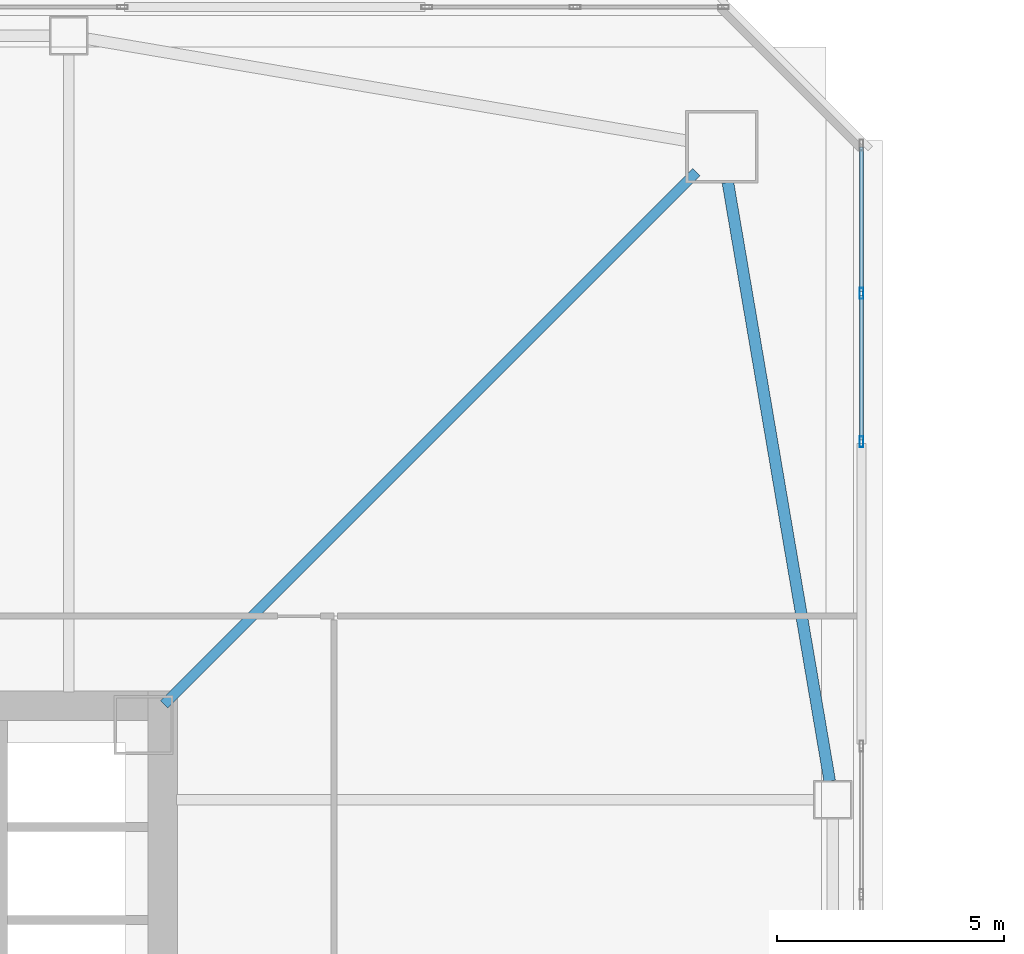
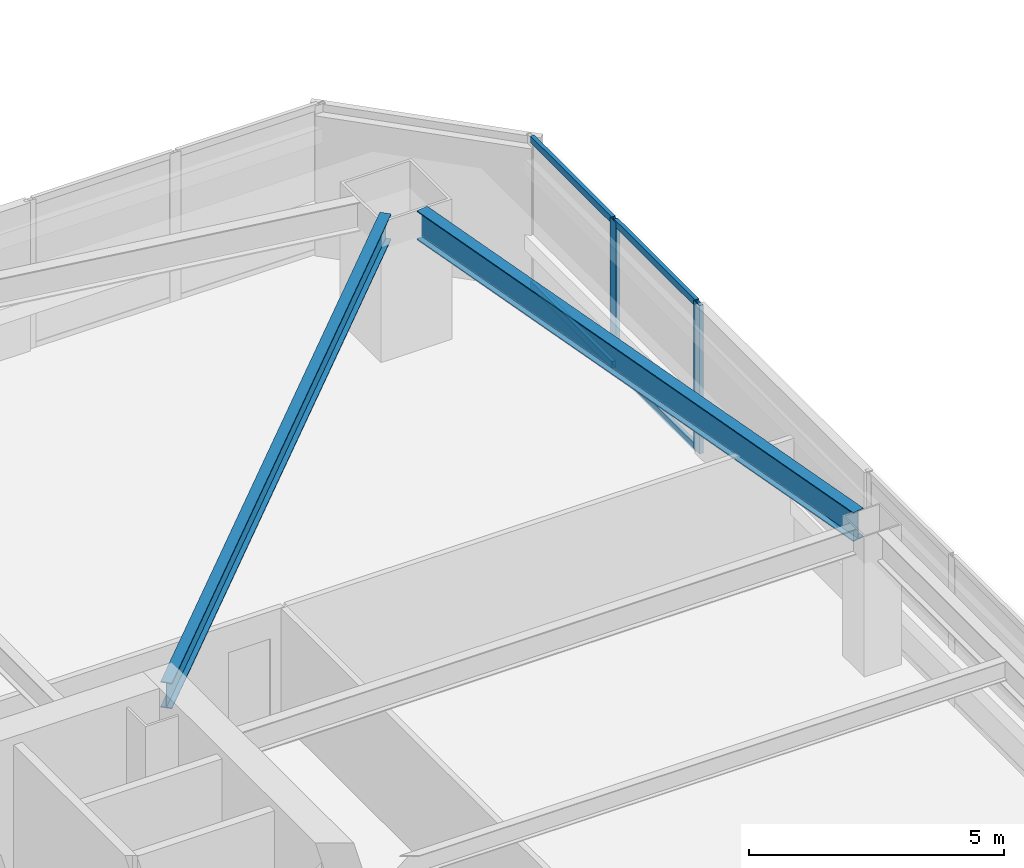
# One storey, part 16 of 47: 6 members, 2 beams, 1 element without a shape of its own.
"""IFC4 building model written with IfcOpenShell, lengths in metres."""

from ifc_helpers import new_model, si_unit, direction, frame, origin, origin_2d, place, context, subcontext, project, spatial, hollow_rectangle, i_section, extrude, material, material_profile, profile_set, type_object, element, aggregate, save


model = new_model("IFC4")

# Units and contexts
model_context = context("Model", 3, precision=1e-05, world=origin(), true_north=direction((0.0, 1.0)))
body_context = subcontext(model_context, "Body", "Model", "MODEL_VIEW")
ifc_project = project(units=[si_unit("LENGTHUNIT", "METRE"), si_unit("AREAUNIT", "SQUARE_METRE"), si_unit("VOLUMEUNIT", "CUBIC_METRE"), si_unit("PLANEANGLEUNIT", "RADIAN"), si_unit("MASSUNIT", "GRAM", prefix="KILO")], contexts=[model_context])

# Site, building, storey
site_placement = place(None, origin())
site = spatial("IfcSite", under=ifc_project, at=site_placement, CompositionType="ELEMENT")
building_placement = place(site_placement, origin())
building = spatial("IfcBuilding", under=site, at=building_placement, Name="Tashvorn Skyway Center", CompositionType="ELEMENT")
storey_placement = place(building_placement, frame((0.0, 0.0, 42.35009765625)))
storey = spatial("IfcBuildingStorey", under=building, at=storey_placement, Name="L10", CompositionType="ELEMENT", Elevation=42.35009765625)

# Beams
ifc_material_1 = material(Name="Steel ASTM A992 Grade 50", Category="steel")
ifc_material_profile_1 = material_profile(ifc_material_1, i_section(OverallWidth=0.22998046875, OverallDepth=0.616943359375, WebThickness=0.01318359375, FlangeThickness=0.022216796875, at=origin_2d()), Name="W24X94")
ifc_profile_set_1 = profile_set([ifc_material_profile_1], Name="Steel ASTM A992 Grade 50")
beam_type_1 = type_object("IfcBeamType", Name="BM-BEAM-W24X94", PredefinedType="BEAM", material=ifc_profile_set_1)
beam_1_placement = place(storey_placement, frame((61.23779296875, 51.23779296875, 3.04150390625), z_axis=(-0.707106781187, -0.707106781187, 0.0), x_axis=(0.707106781187, -0.707106781187, 0.0)))
element("IfcBeam", 1, at=beam_1_placement, inside=storey, type_object=beam_type_1, Name="Tower 1 L10 Primary Floor Girder MC-NE", PredefinedType="BEAM", context=body_context, shape_type="SweptSolid", body=[
    extrude(i_section(OverallWidth=0.22998046875, OverallDepth=0.616943359375, WebThickness=0.01318359375, FlangeThickness=0.022216796875, at=origin_2d()), origin(), (0.0, 0.0, 1.0), 16.591064453125),
])
ifc_material_profile_2 = material_profile(ifc_material_1, i_section(OverallWidth=0.256103515625, OverallDepth=0.693115234375, WebThickness=0.014404296875, FlangeThickness=0.023681640625, at=origin_2d()), Name="W27X114")
ifc_profile_set_2 = profile_set([ifc_material_profile_2], Name="Steel ASTM A992 Grade 50")
beam_type_2 = type_object("IfcBeamType", Name="BM-SPANDREL-W27X114", PredefinedType="SPANDREL", material=ifc_profile_set_2)
beam_2_placement = place(storey_placement, frame((64.179443359375, 37.81396484375, 3.00341796875), z_axis=(-0.16771792509, 0.985835025551, 0.0), x_axis=(-0.985835025551, -0.16771792509, 0.0)))
element("IfcBeam", 2, at=beam_2_placement, inside=storey, type_object=beam_type_2, Name="Tower 1 L10 Spandrel Beam 06", PredefinedType="SPANDREL", context=body_context, shape_type="SweptSolid", body=[
    extrude(i_section(OverallWidth=0.256103515625, OverallDepth=0.693115234375, WebThickness=0.014404296875, FlangeThickness=0.023681640625, at=origin_2d()), origin(), (0.0, 0.0, 1.0), 13.39208984375),
])

# Curtain wall, members
ifc_material_2 = material(Name="Thermally broken bronze-anodized aluminium 6063-T6", Category="aluminium")
curtain_wall_type = type_object("IfcCurtainWallType", Name="CW-CW-Z1", PredefinedType="NOTDEFINED", material=ifc_material_2)
curtain_wall_placement = place(storey_placement, origin())
curtain_wall = element("IfcCurtainWall", 3, at=curtain_wall_placement, inside=storey, type_object=curtain_wall_type, Name="Tower 1 L10 East Unitised Curtain Wall Glazing Group 1", PredefinedType="NOTDEFINED")
ifc_material_profile_3 = material_profile(ifc_material_2, hollow_rectangle(XDim=0.0849609375, YDim=0.239990234375, WallThickness=0.0048828125, at=origin_2d()), Name="ALU-MULL-85x240")
ifc_profile_set_3 = profile_set([ifc_material_profile_3], Name="Thermally broken bronze-anodized aluminium 6063-T6")
member_type_1 = type_object("IfcMemberType", Name="CWM-CW-Z1", PredefinedType="MULLION", material=ifc_profile_set_3)
member_1_placement = place(storey_placement, frame((64.8798828125, 48.566650390625, 0.0), z_axis=(0.0, 0.0, 1.0), x_axis=(1.0, 0.0, 0.0)))
member_1 = element("IfcMember", 4, at=member_1_placement, type_object=member_type_1, Name="CW-Z1 mullion 2", PredefinedType="MULLION", context=body_context, shape_type="SweptSolid", body=[
    extrude(hollow_rectangle(XDim=0.0849609375, YDim=0.239990234375, WallThickness=0.0048828125, at=origin_2d()), origin(), (0.0, 0.0, 1.0), 3.5498046875),
])
member_2_placement = place(storey_placement, frame((64.8798828125, 45.2958984375, 0.0), z_axis=(0.0, 0.0, 1.0), x_axis=(1.0, 0.0, 0.0)))
member_2 = element("IfcMember", 5, at=member_2_placement, type_object=member_type_1, Name="CW-Z1 mullion 3", PredefinedType="MULLION", context=body_context, shape_type="SweptSolid", body=[
    extrude(hollow_rectangle(XDim=0.0849609375, YDim=0.239990234375, WallThickness=0.0048828125, at=origin_2d()), origin(), (0.0, 0.0, 1.0), 3.5498046875),
])
ifc_material_profile_4 = material_profile(ifc_material_2, hollow_rectangle(XDim=0.0849609375, YDim=0.1650390625, WallThickness=0.0048828125, at=origin_2d()), Name="ALU-TRAN-85x165")
ifc_profile_set_4 = profile_set([ifc_material_profile_4], Name="Thermally broken bronze-anodized aluminium 6063-T6")
member_type_2 = type_object("IfcMemberType", Name="CWT-CW-Z1", PredefinedType="USERDEFINED", material=ifc_profile_set_4)
member_3_placement = place(storey_placement, frame((64.8798828125, 51.794921875, 0.04248046875), z_axis=(0.0, -1.0, 0.0), x_axis=(1.0, 0.0, 0.0)))
member_3 = element("IfcMember", 6, at=member_3_placement, type_object=member_type_2, Name="CW-Z1 transom 1.1", ObjectType="TRANSOM", PredefinedType="USERDEFINED", context=body_context, shape_type="SweptSolid", body=[
    extrude(hollow_rectangle(XDim=0.0849609375, YDim=0.1650390625, WallThickness=0.0048828125, at=origin_2d()), origin(), (0.0, 0.0, 1.0), 3.185791015625),
])
member_4_placement = place(storey_placement, frame((64.8798828125, 51.794921875, 3.50732421875), z_axis=(0.0, -1.0, 0.0), x_axis=(1.0, 0.0, 0.0)))
member_4 = element("IfcMember", 7, at=member_4_placement, type_object=member_type_2, Name="CW-Z1 transom 1.2", ObjectType="TRANSOM", PredefinedType="USERDEFINED", context=body_context, shape_type="SweptSolid", body=[
    extrude(hollow_rectangle(XDim=0.0849609375, YDim=0.1650390625, WallThickness=0.0048828125, at=origin_2d()), origin(), (0.0, 0.0, 1.0), 3.185791015625),
])
member_5_placement = place(storey_placement, frame((64.8798828125, 48.524169921875, 0.04248046875), z_axis=(0.0, -1.0, 0.0), x_axis=(1.0, 0.0, 0.0)))
member_5 = element("IfcMember", 8, at=member_5_placement, type_object=member_type_2, Name="CW-Z1 transom 2.1", ObjectType="TRANSOM", PredefinedType="USERDEFINED", context=body_context, shape_type="SweptSolid", body=[
    extrude(hollow_rectangle(XDim=0.0849609375, YDim=0.1650390625, WallThickness=0.0048828125, at=origin_2d()), origin(), (0.0, 0.0, 1.0), 3.185791015625),
])
member_6_placement = place(storey_placement, frame((64.8798828125, 48.524169921875, 3.50732421875), z_axis=(0.0, -1.0, 0.0), x_axis=(1.0, 0.0, 0.0)))
member_6 = element("IfcMember", 9, at=member_6_placement, type_object=member_type_2, Name="CW-Z1 transom 2.2", ObjectType="TRANSOM", PredefinedType="USERDEFINED", context=body_context, shape_type="SweptSolid", body=[
    extrude(hollow_rectangle(XDim=0.0849609375, YDim=0.1650390625, WallThickness=0.0048828125, at=origin_2d()), origin(), (0.0, 0.0, 1.0), 3.185791015625),
])
aggregate(curtain_wall, [member_1, member_2, member_3, member_4, member_5, member_6])

save(model, "model.ifc")
